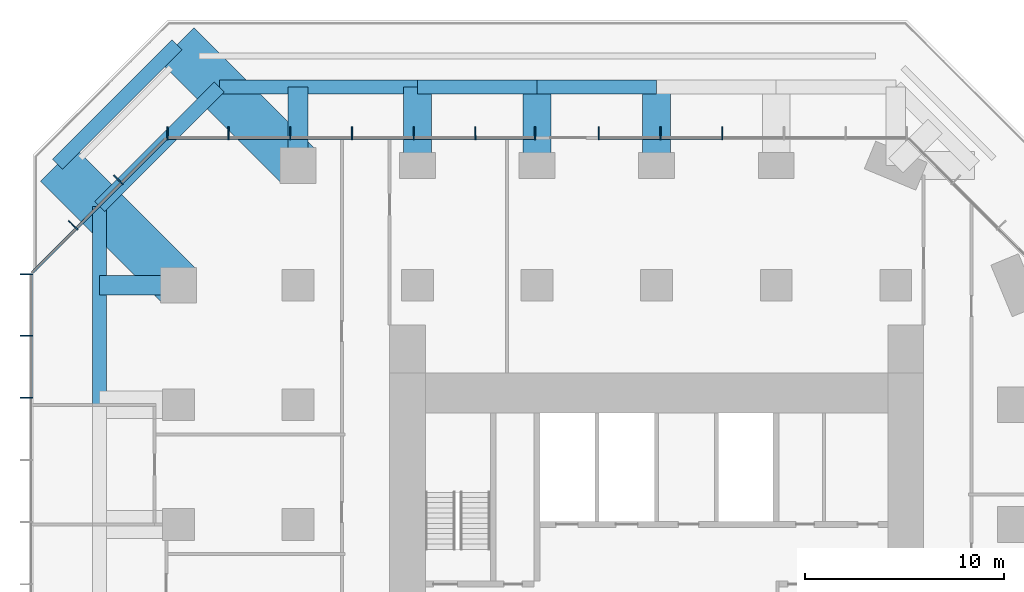
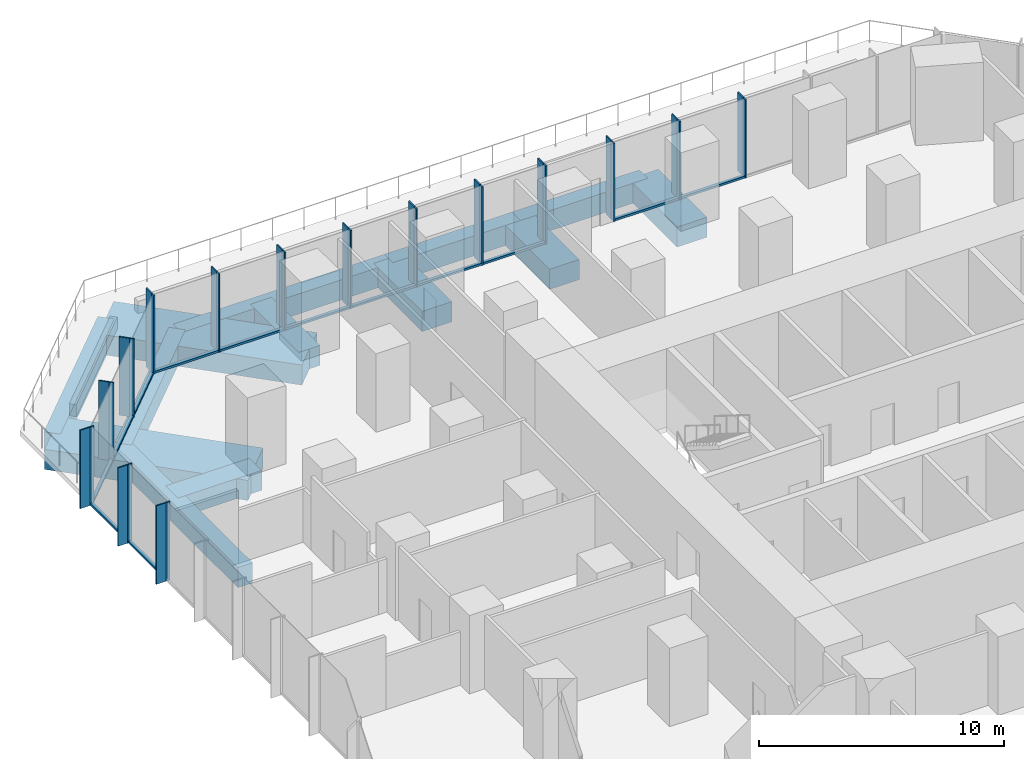
# One storey, part 5 of 11: 43 members, 13 beams, 4 elements without a shape of their own.
"""IFC4 building model written with IfcOpenShell, lengths in metres."""

from ifc_helpers import new_model, si_unit, direction, frame, origin, origin_2d, place, context, subcontext, project, spatial, rectangle, extrude, material, layer, layer_set, material_profile, profile_set, type_object, element, aggregate, save


model = new_model("IFC4")

# Units and contexts
model_context = context("Model", 3, precision=1e-05, world=origin(), true_north=direction((0.0, 1.0)))
body_context = subcontext(model_context, "Body", "Model", "MODEL_VIEW")
ifc_project = project(units=[si_unit("LENGTHUNIT", "METRE"), si_unit("AREAUNIT", "SQUARE_METRE"), si_unit("VOLUMEUNIT", "CUBIC_METRE"), si_unit("PLANEANGLEUNIT", "RADIAN"), si_unit("MASSUNIT", "GRAM", prefix="KILO")], contexts=[model_context])

# Site, building, storey
site_placement = place(None, origin())
site = spatial("IfcSite", under=ifc_project, at=site_placement, CompositionType="ELEMENT")
building_placement = place(site_placement, origin())
building = spatial("IfcBuilding", under=site, at=building_placement, Name="Highveld Stack Headquarters", CompositionType="ELEMENT")
storey_placement = place(building_placement, frame((0.0, 0.0, 117.199951171875)))
storey = spatial("IfcBuildingStorey", under=building, at=storey_placement, Name="L28", CompositionType="ELEMENT", Elevation=117.199951171875)

# Beams
ifc_material_1 = material(Name="Concrete C60/75", Category="concrete")
ifc_material_profile_1 = material_profile(ifc_material_1, rectangle(XDim=1.0, YDim=1.0, at=origin_2d()), Name="RC 1000x1000")
ifc_profile_set_1 = profile_set([ifc_material_profile_1], Name="Concrete C60/75")
beam_type_1 = type_object("IfcBeamType", Name="CANTILEVER RIB RC 1000x1000", PredefinedType="USERDEFINED", material=ifc_profile_set_1)
for number, where, z_axis, x_axis, name in (
    (1, (-18.0, 18.0, -0.75), (-1.0, 0.0, 0.0), (0.0, -1.0, 0.0), "Cantilever rib 3/H L28"),
    (2, (-12.0, 24.0, -0.75), (0.0, 1.0, 0.0), (-1.0, 0.0, 0.0), "Cantilever rib 4/J L28"),
):
    element("IfcBeam", number, at=place(storey_placement, frame(where, z_axis=z_axis, x_axis=x_axis)), inside=storey, type_object=beam_type_1, Name=name, ObjectType="CANTILEVER RIB", PredefinedType="USERDEFINED", context=body_context, shape_type="SweptSolid", body=[
        extrude(rectangle(XDim=1.0, YDim=1.0, at=origin_2d()), origin(), (0.0, 0.0, 1.0), 3.949951171875),
    ])
ifc_material_2 = material(Name="Concrete C60/75", Category="concrete")
ifc_material_profile_2 = material_profile(ifc_material_2, rectangle(XDim=1.39990234375, YDim=1.0, at=origin_2d()), Name="RC 1400x1000")
ifc_profile_set_2 = profile_set([ifc_material_profile_2], Name="Concrete C60/75")
beam_type_2 = type_object("IfcBeamType", Name="CANTILEVER RIB RC 1400x1000", PredefinedType="USERDEFINED", material=ifc_profile_set_2)
for number, where, z_axis, x_axis, name in (
    (3, (-6.0, 24.0, -0.75), (0.0, 1.0, 0.0), (-1.0, 0.0, 0.0), "Cantilever rib 5/J L28"),
    (4, (0.0, 24.0, -0.75), (0.0, 1.0, 0.0), (-1.0, 0.0, 0.0), "Cantilever rib 6/J L28"),
    (5, (6.0, 24.0, -0.75), (0.0, 1.0, 0.0), (-1.0, 0.0, 0.0), "Cantilever rib 7/J L28"),
):
    element("IfcBeam", number, at=place(storey_placement, frame(where, z_axis=z_axis, x_axis=x_axis)), inside=storey, type_object=beam_type_2, Name=name, ObjectType="CANTILEVER RIB", PredefinedType="USERDEFINED", context=body_context, shape_type="SweptSolid", body=[
        extrude(rectangle(XDim=1.39990234375, YDim=1.0, at=origin_2d()), origin(), (0.0, 0.0, 1.0), 3.949951171875),
    ])
ifc_material_3 = material(Name="Concrete C60/75", Category="concrete")
ifc_material_profile_3 = material_profile(ifc_material_3, rectangle(XDim=2.39990234375, YDim=1.0, at=origin_2d()), Name="RC 2400x1000")
ifc_profile_set_3 = profile_set([ifc_material_profile_3], Name="Concrete C60/75")
beam_type_3 = type_object("IfcBeamType", Name="CANTILEVER RIB RC 2400x1000", PredefinedType="USERDEFINED", material=ifc_profile_set_3)
for number, where, z_axis, x_axis, name in (
    (6, (-18.0, 18.0, -0.75), (-0.707106781187, 0.707106781187, 0.0), (-0.707106781187, -0.707106781187, 0.0), "Cantilever rib 3/H L28"),
    (7, (-12.0, 24.0, -0.75), (-0.707106781187, 0.707106781187, 0.0), (-0.707106781187, -0.707106781187, 0.0), "Cantilever rib 4/J L28"),
):
    element("IfcBeam", number, at=place(storey_placement, frame(where, z_axis=z_axis, x_axis=x_axis)), inside=storey, type_object=beam_type_3, Name=name, ObjectType="CANTILEVER RIB", PredefinedType="USERDEFINED", context=body_context, shape_type="SweptSolid", body=[
        extrude(rectangle(XDim=2.39990234375, YDim=1.0, at=origin_2d()), origin(), (0.0, 0.0, 1.0), 8.585693359375),
    ])

# Curtain wall, members
ifc_material_4 = material(Name="Aluminium bronze anodised", Category="aluminium")
ifc_layer_1 = layer(ifc_material_4, 0.199951171875)
ifc_layer_set_1 = layer_set([ifc_layer_1], Name="Aluminium bronze anodised")
curtain_wall_type_1 = type_object("IfcCurtainWallType", Name="CW1 TOWER UNITISED CURTAIN WALL", PredefinedType="NOTDEFINED", material=ifc_layer_set_1)
curtain_wall_1_placement = place(storey_placement, origin())
curtain_wall_1 = element("IfcCurtainWall", 8, at=curtain_wall_1_placement, inside=storey, type_object=curtain_wall_type_1, Name="Curtain wall CW1 L28 N-1", PredefinedType="NOTDEFINED")
ifc_material_5 = material(Name="Aluminium bronze anodised", Category="aluminium")
ifc_material_profile_4 = material_profile(ifc_material_5, rectangle(XDim=0.449951171875, YDim=0.06005859375, at=origin_2d()), Name="FIN 450x60")
ifc_profile_set_4 = profile_set([ifc_material_profile_4], Name="Aluminium bronze anodised")
member_type_1 = type_object("IfcMemberType", Name="CW1 BRONZE FIN 450x60", PredefinedType="USERDEFINED", material=ifc_profile_set_4)
member_1_placement = place(storey_placement, frame((9.289794921875, 25.72509765625, 0.0), z_axis=(0.0, 0.0, 1.0), x_axis=(0.0, -1.0, 0.0)))
member_1 = element("IfcMember", 9, at=member_1_placement, type_object=member_type_1, Name="CW1 fin L28 4", ObjectType="FIN", PredefinedType="USERDEFINED", context=body_context, shape_type="SweptSolid", body=[
    extrude(rectangle(XDim=0.449951171875, YDim=0.06005859375, at=origin_2d()), origin(), (0.0, 0.0, 1.0), 3.900146484375),
])
member_2_placement = place(storey_placement, frame((6.193359375, 25.72509765625, 0.0), z_axis=(0.0, 0.0, 1.0), x_axis=(0.0, -1.0, 0.0)))
member_2 = element("IfcMember", 10, at=member_2_placement, type_object=member_type_1, Name="CW1 fin L28 5", ObjectType="FIN", PredefinedType="USERDEFINED", context=body_context, shape_type="SweptSolid", body=[
    extrude(rectangle(XDim=0.449951171875, YDim=0.06005859375, at=origin_2d()), origin(), (0.0, 0.0, 1.0), 3.900146484375),
])
member_3_placement = place(storey_placement, frame((3.0966796875, 25.72509765625, 0.0), z_axis=(0.0, 0.0, 1.0), x_axis=(0.0, -1.0, 0.0)))
member_3 = element("IfcMember", 11, at=member_3_placement, type_object=member_type_1, Name="CW1 fin L28 6", ObjectType="FIN", PredefinedType="USERDEFINED", context=body_context, shape_type="SweptSolid", body=[
    extrude(rectangle(XDim=0.449951171875, YDim=0.06005859375, at=origin_2d()), origin(), (0.0, 0.0, 1.0), 3.900146484375),
])

curtain_wall_2_placement = place(storey_placement, origin())
curtain_wall_2 = element("IfcCurtainWall", 12, at=curtain_wall_2_placement, inside=storey, type_object=curtain_wall_type_1, Name="Curtain wall CW1 L28 N-2", PredefinedType="NOTDEFINED")
member_4_placement = place(storey_placement, frame((-0.107421875, 25.72509765625, 0.0), z_axis=(0.0, 0.0, 1.0), x_axis=(0.0, -1.0, 0.0)))
member_4 = element("IfcMember", 13, at=member_4_placement, type_object=member_type_1, Name="CW1 fin L28 1", ObjectType="FIN", PredefinedType="USERDEFINED", context=body_context, shape_type="SweptSolid", body=[
    extrude(rectangle(XDim=0.449951171875, YDim=0.06005859375, at=origin_2d()), origin(), (0.0, 0.0, 1.0), 3.900146484375),
])
member_5_placement = place(storey_placement, frame((-3.0966796875, 25.72509765625, 0.0), z_axis=(0.0, 0.0, 1.0), x_axis=(0.0, -1.0, 0.0)))
member_5 = element("IfcMember", 14, at=member_5_placement, type_object=member_type_1, Name="CW1 fin L28 2", ObjectType="FIN", PredefinedType="USERDEFINED", context=body_context, shape_type="SweptSolid", body=[
    extrude(rectangle(XDim=0.449951171875, YDim=0.06005859375, at=origin_2d()), origin(), (0.0, 0.0, 1.0), 3.900146484375),
])
member_6_placement = place(storey_placement, frame((-6.193359375, 25.72509765625, 0.0), z_axis=(0.0, 0.0, 1.0), x_axis=(0.0, -1.0, 0.0)))
member_6 = element("IfcMember", 15, at=member_6_placement, type_object=member_type_1, Name="CW1 fin L28 3", ObjectType="FIN", PredefinedType="USERDEFINED", context=body_context, shape_type="SweptSolid", body=[
    extrude(rectangle(XDim=0.449951171875, YDim=0.06005859375, at=origin_2d()), origin(), (0.0, 0.0, 1.0), 3.900146484375),
])
member_7_placement = place(storey_placement, frame((-9.2900390625, 25.72509765625, 0.0), z_axis=(0.0, 0.0, 1.0), x_axis=(0.0, -1.0, 0.0)))
member_7 = element("IfcMember", 16, at=member_7_placement, type_object=member_type_1, Name="CW1 fin L28 4", ObjectType="FIN", PredefinedType="USERDEFINED", context=body_context, shape_type="SweptSolid", body=[
    extrude(rectangle(XDim=0.449951171875, YDim=0.06005859375, at=origin_2d()), origin(), (0.0, 0.0, 1.0), 3.900146484375),
])
member_8_placement = place(storey_placement, frame((-12.38671875, 25.72509765625, 0.0), z_axis=(0.0, 0.0, 1.0), x_axis=(0.0, -1.0, 0.0)))
member_8 = element("IfcMember", 17, at=member_8_placement, type_object=member_type_1, Name="CW1 fin L28 5", ObjectType="FIN", PredefinedType="USERDEFINED", context=body_context, shape_type="SweptSolid", body=[
    extrude(rectangle(XDim=0.449951171875, YDim=0.06005859375, at=origin_2d()), origin(), (0.0, 0.0, 1.0), 3.900146484375),
])
member_9_placement = place(storey_placement, frame((-15.4833984375, 25.72509765625, 0.0), z_axis=(0.0, 0.0, 1.0), x_axis=(0.0, -1.0, 0.0)))
member_9 = element("IfcMember", 18, at=member_9_placement, type_object=member_type_1, Name="CW1 fin L28 6", ObjectType="FIN", PredefinedType="USERDEFINED", context=body_context, shape_type="SweptSolid", body=[
    extrude(rectangle(XDim=0.449951171875, YDim=0.06005859375, at=origin_2d()), origin(), (0.0, 0.0, 1.0), 3.900146484375),
])
member_10_placement = place(storey_placement, frame((-18.54736328125, 25.72509765625, 0.0), z_axis=(0.0, 0.0, 1.0), x_axis=(0.0, -1.0, 0.0)))
member_10 = element("IfcMember", 19, at=member_10_placement, type_object=member_type_1, Name="CW1 fin L28 7", ObjectType="FIN", PredefinedType="USERDEFINED", context=body_context, shape_type="SweptSolid", body=[
    extrude(rectangle(XDim=0.449951171875, YDim=0.06005859375, at=origin_2d()), origin(), (0.0, 0.0, 1.0), 3.900146484375),
])

curtain_wall_3_placement = place(storey_placement, origin())
curtain_wall_3 = element("IfcCurtainWall", 20, at=curtain_wall_3_placement, inside=storey, type_object=curtain_wall_type_1, Name="Curtain wall CW1 L28 W", PredefinedType="NOTDEFINED")
member_11_placement = place(storey_placement, frame((-25.72509765625, 18.54736328125, 0.0), z_axis=(0.0, 0.0, 1.0), x_axis=(1.0, 0.0, 0.0)))
member_11 = element("IfcMember", 21, at=member_11_placement, type_object=member_type_1, Name="CW1 fin L28 1", ObjectType="FIN", PredefinedType="USERDEFINED", context=body_context, shape_type="SweptSolid", body=[
    extrude(rectangle(XDim=0.449951171875, YDim=0.06005859375, at=origin_2d()), origin(), (0.0, 0.0, 1.0), 3.900146484375),
])
member_12_placement = place(storey_placement, frame((-25.72509765625, 15.4638671875, 0.0), z_axis=(0.0, 0.0, 1.0), x_axis=(1.0, 0.0, 0.0)))
member_12 = element("IfcMember", 22, at=member_12_placement, type_object=member_type_1, Name="CW1 fin L28 2", ObjectType="FIN", PredefinedType="USERDEFINED", context=body_context, shape_type="SweptSolid", body=[
    extrude(rectangle(XDim=0.449951171875, YDim=0.06005859375, at=origin_2d()), origin(), (0.0, 0.0, 1.0), 3.900146484375),
])
member_13_placement = place(storey_placement, frame((-25.72509765625, 12.347900390625, 0.0), z_axis=(0.0, 0.0, 1.0), x_axis=(1.0, 0.0, 0.0)))
member_13 = element("IfcMember", 23, at=member_13_placement, type_object=member_type_1, Name="CW1 fin L28 3", ObjectType="FIN", PredefinedType="USERDEFINED", context=body_context, shape_type="SweptSolid", body=[
    extrude(rectangle(XDim=0.449951171875, YDim=0.06005859375, at=origin_2d()), origin(), (0.0, 0.0, 1.0), 3.900146484375),
])

# Member
ifc_material_6 = material(Name="Aluminium bronze anodised", Category="aluminium")
ifc_material_profile_5 = material_profile(ifc_material_6, rectangle(XDim=0.199951171875, YDim=0.06494140625, at=origin_2d()), Name="CW1 MULLION 65x200")
ifc_profile_set_5 = profile_set([ifc_material_profile_5], Name="Aluminium bronze anodised")
member_type_2 = type_object("IfcMemberType", Name="CW1 MULLION 65x200", PredefinedType="MULLION", material=ifc_profile_set_5)
member_14_placement = place(storey_placement, frame((9.289794921875, 25.39990234375, 0.0), z_axis=(0.0, 0.0, 1.0), x_axis=(0.0, -1.0, 0.0)))
member_14 = element("IfcMember", 24, at=member_14_placement, type_object=member_type_2, Name="CW1 mullion L28 4", PredefinedType="MULLION", context=body_context, shape_type="SweptSolid", body=[
    extrude(rectangle(XDim=0.199951171875, YDim=0.06494140625, at=origin_2d()), origin(), (0.0, 0.0, 1.0), 3.900146484375),
])

member_15_placement = place(storey_placement, frame((6.193359375, 25.39990234375, 0.0), z_axis=(0.0, 0.0, 1.0), x_axis=(0.0, -1.0, 0.0)))
member_15 = element("IfcMember", 25, at=member_15_placement, type_object=member_type_2, Name="CW1 mullion L28 5", PredefinedType="MULLION", context=body_context, shape_type="SweptSolid", body=[
    extrude(rectangle(XDim=0.199951171875, YDim=0.06494140625, at=origin_2d()), origin(), (0.0, 0.0, 1.0), 3.900146484375),
])

member_16_placement = place(storey_placement, frame((3.0966796875, 25.39990234375, 0.0), z_axis=(0.0, 0.0, 1.0), x_axis=(0.0, -1.0, 0.0)))
member_16 = element("IfcMember", 26, at=member_16_placement, type_object=member_type_2, Name="CW1 mullion L28 6", PredefinedType="MULLION", context=body_context, shape_type="SweptSolid", body=[
    extrude(rectangle(XDim=0.199951171875, YDim=0.06494140625, at=origin_2d()), origin(), (0.0, 0.0, 1.0), 3.900146484375),
])

member_17_placement = place(storey_placement, frame((-0.107421875, 25.39990234375, 0.0), z_axis=(0.0, 0.0, 1.0), x_axis=(0.0, -1.0, 0.0)))
member_17 = element("IfcMember", 27, at=member_17_placement, type_object=member_type_2, Name="CW1 mullion L28 1", PredefinedType="MULLION", context=body_context, shape_type="SweptSolid", body=[
    extrude(rectangle(XDim=0.199951171875, YDim=0.06494140625, at=origin_2d()), origin(), (0.0, 0.0, 1.0), 3.900146484375),
])

member_18_placement = place(storey_placement, frame((-3.0966796875, 25.39990234375, 0.0), z_axis=(0.0, 0.0, 1.0), x_axis=(0.0, -1.0, 0.0)))
member_18 = element("IfcMember", 28, at=member_18_placement, type_object=member_type_2, Name="CW1 mullion L28 2", PredefinedType="MULLION", context=body_context, shape_type="SweptSolid", body=[
    extrude(rectangle(XDim=0.199951171875, YDim=0.06494140625, at=origin_2d()), origin(), (0.0, 0.0, 1.0), 3.900146484375),
])

member_19_placement = place(storey_placement, frame((-6.193359375, 25.39990234375, 0.0), z_axis=(0.0, 0.0, 1.0), x_axis=(0.0, -1.0, 0.0)))
member_19 = element("IfcMember", 29, at=member_19_placement, type_object=member_type_2, Name="CW1 mullion L28 3", PredefinedType="MULLION", context=body_context, shape_type="SweptSolid", body=[
    extrude(rectangle(XDim=0.199951171875, YDim=0.06494140625, at=origin_2d()), origin(), (0.0, 0.0, 1.0), 3.900146484375),
])

member_20_placement = place(storey_placement, frame((-9.2900390625, 25.39990234375, 0.0), z_axis=(0.0, 0.0, 1.0), x_axis=(0.0, -1.0, 0.0)))
member_20 = element("IfcMember", 30, at=member_20_placement, type_object=member_type_2, Name="CW1 mullion L28 4", PredefinedType="MULLION", context=body_context, shape_type="SweptSolid", body=[
    extrude(rectangle(XDim=0.199951171875, YDim=0.06494140625, at=origin_2d()), origin(), (0.0, 0.0, 1.0), 3.900146484375),
])

member_21_placement = place(storey_placement, frame((-12.38671875, 25.39990234375, 0.0), z_axis=(0.0, 0.0, 1.0), x_axis=(0.0, -1.0, 0.0)))
member_21 = element("IfcMember", 31, at=member_21_placement, type_object=member_type_2, Name="CW1 mullion L28 5", PredefinedType="MULLION", context=body_context, shape_type="SweptSolid", body=[
    extrude(rectangle(XDim=0.199951171875, YDim=0.06494140625, at=origin_2d()), origin(), (0.0, 0.0, 1.0), 3.900146484375),
])

member_22_placement = place(storey_placement, frame((-15.4833984375, 25.39990234375, 0.0), z_axis=(0.0, 0.0, 1.0), x_axis=(0.0, -1.0, 0.0)))
member_22 = element("IfcMember", 32, at=member_22_placement, type_object=member_type_2, Name="CW1 mullion L28 6", PredefinedType="MULLION", context=body_context, shape_type="SweptSolid", body=[
    extrude(rectangle(XDim=0.199951171875, YDim=0.06494140625, at=origin_2d()), origin(), (0.0, 0.0, 1.0), 3.900146484375),
])

member_23_placement = place(storey_placement, frame((-18.54736328125, 25.39990234375, 0.0), z_axis=(0.0, 0.0, 1.0), x_axis=(0.0, -1.0, 0.0)))
member_23 = element("IfcMember", 33, at=member_23_placement, type_object=member_type_2, Name="CW1 mullion L28 7", PredefinedType="MULLION", context=body_context, shape_type="SweptSolid", body=[
    extrude(rectangle(XDim=0.199951171875, YDim=0.06494140625, at=origin_2d()), origin(), (0.0, 0.0, 1.0), 3.900146484375),
])

member_24_placement = place(storey_placement, frame((-25.39990234375, 18.54736328125, 0.0), z_axis=(0.0, 0.0, 1.0), x_axis=(1.0, 0.0, 0.0)))
member_24 = element("IfcMember", 34, at=member_24_placement, type_object=member_type_2, Name="CW1 mullion L28 1", PredefinedType="MULLION", context=body_context, shape_type="SweptSolid", body=[
    extrude(rectangle(XDim=0.199951171875, YDim=0.06494140625, at=origin_2d()), origin(), (0.0, 0.0, 1.0), 3.900146484375),
])

member_25_placement = place(storey_placement, frame((-25.39990234375, 15.4638671875, 0.0), z_axis=(0.0, 0.0, 1.0), x_axis=(1.0, 0.0, 0.0)))
member_25 = element("IfcMember", 35, at=member_25_placement, type_object=member_type_2, Name="CW1 mullion L28 2", PredefinedType="MULLION", context=body_context, shape_type="SweptSolid", body=[
    extrude(rectangle(XDim=0.199951171875, YDim=0.06494140625, at=origin_2d()), origin(), (0.0, 0.0, 1.0), 3.900146484375),
])

member_26_placement = place(storey_placement, frame((-25.39990234375, 12.347900390625, 0.0), z_axis=(0.0, 0.0, 1.0), x_axis=(1.0, 0.0, 0.0)))
member_26 = element("IfcMember", 36, at=member_26_placement, type_object=member_type_2, Name="CW1 mullion L28 3", PredefinedType="MULLION", context=body_context, shape_type="SweptSolid", body=[
    extrude(rectangle(XDim=0.199951171875, YDim=0.06494140625, at=origin_2d()), origin(), (0.0, 0.0, 1.0), 3.900146484375),
])

ifc_material_7 = material(Name="Aluminium bronze anodised", Category="aluminium")
ifc_material_profile_6 = material_profile(ifc_material_7, rectangle(XDim=0.14990234375, YDim=0.10009765625, at=origin_2d()), Name="CW1 TRANSOM 150x100")
ifc_profile_set_6 = profile_set([ifc_material_profile_6], Name="Aluminium bronze anodised")
member_type_3 = type_object("IfcMemberType", Name="CW1 STACK TRANSOM 150x100", PredefinedType="USERDEFINED", material=ifc_profile_set_6)
member_27_placement = place(storey_placement, frame((9.25732421875, 25.39990234375, 0.050048828125), z_axis=(-1.0, 0.0, 0.0), x_axis=(0.0, -1.0, 0.0)))
member_27 = element("IfcMember", 37, at=member_27_placement, type_object=member_type_3, Name="CW1 transom L28 4.1", ObjectType="TRANSOM", PredefinedType="USERDEFINED", context=body_context, shape_type="SweptSolid", body=[
    extrude(rectangle(XDim=0.14990234375, YDim=0.10009765625, at=origin_2d()), origin(), (0.0, 0.0, 1.0), 3.031494140625),
])

member_28_placement = place(storey_placement, frame((6.160888671875, 25.39990234375, 0.050048828125), z_axis=(-1.0, 0.0, 0.0), x_axis=(0.0, -1.0, 0.0)))
member_28 = element("IfcMember", 38, at=member_28_placement, type_object=member_type_3, Name="CW1 transom L28 5.1", ObjectType="TRANSOM", PredefinedType="USERDEFINED", context=body_context, shape_type="SweptSolid", body=[
    extrude(rectangle(XDim=0.14990234375, YDim=0.10009765625, at=origin_2d()), origin(), (0.0, 0.0, 1.0), 3.03173828125),
])

aggregate(curtain_wall_1, [member_14, member_1, member_15, member_2, member_16, member_3, member_27, member_28])

member_29_placement = place(storey_placement, frame((-0.139892578125, 25.39990234375, 0.050048828125), z_axis=(-1.0, 0.0, 0.0), x_axis=(0.0, -1.0, 0.0)))
member_29 = element("IfcMember", 39, at=member_29_placement, type_object=member_type_3, Name="CW1 transom L28 7.1", ObjectType="TRANSOM", PredefinedType="USERDEFINED", context=body_context, shape_type="SweptSolid", body=[
    extrude(rectangle(XDim=0.14990234375, YDim=0.10009765625, at=origin_2d()), origin(), (0.0, 0.0, 1.0), 2.92431640625),
])

member_30_placement = place(storey_placement, frame((-3.129150390625, 25.39990234375, 0.050048828125), z_axis=(-1.0, 0.0, 0.0), x_axis=(0.0, -1.0, 0.0)))
member_30 = element("IfcMember", 40, at=member_30_placement, type_object=member_type_3, Name="CW1 transom L28 8.1", ObjectType="TRANSOM", PredefinedType="USERDEFINED", context=body_context, shape_type="SweptSolid", body=[
    extrude(rectangle(XDim=0.14990234375, YDim=0.10009765625, at=origin_2d()), origin(), (0.0, 0.0, 1.0), 3.03173828125),
])

member_31_placement = place(storey_placement, frame((-6.225830078125, 25.39990234375, 0.050048828125), z_axis=(-1.0, 0.0, 0.0), x_axis=(0.0, -1.0, 0.0)))
member_31 = element("IfcMember", 41, at=member_31_placement, type_object=member_type_3, Name="CW1 transom L28 9.1", ObjectType="TRANSOM", PredefinedType="USERDEFINED", context=body_context, shape_type="SweptSolid", body=[
    extrude(rectangle(XDim=0.14990234375, YDim=0.10009765625, at=origin_2d()), origin(), (0.0, 0.0, 1.0), 3.03173828125),
])

member_32_placement = place(storey_placement, frame((-9.322509765625, 25.39990234375, 0.050048828125), z_axis=(-1.0, 0.0, 0.0), x_axis=(0.0, -1.0, 0.0)))
member_32 = element("IfcMember", 42, at=member_32_placement, type_object=member_type_3, Name="CW1 transom L28 10.1", ObjectType="TRANSOM", PredefinedType="USERDEFINED", context=body_context, shape_type="SweptSolid", body=[
    extrude(rectangle(XDim=0.14990234375, YDim=0.10009765625, at=origin_2d()), origin(), (0.0, 0.0, 1.0), 3.031494140625),
])

member_33_placement = place(storey_placement, frame((-12.419189453125, 25.39990234375, 0.050048828125), z_axis=(-1.0, 0.0, 0.0), x_axis=(0.0, -1.0, 0.0)))
member_33 = element("IfcMember", 43, at=member_33_placement, type_object=member_type_3, Name="CW1 transom L28 11.1", ObjectType="TRANSOM", PredefinedType="USERDEFINED", context=body_context, shape_type="SweptSolid", body=[
    extrude(rectangle(XDim=0.14990234375, YDim=0.10009765625, at=origin_2d()), origin(), (0.0, 0.0, 1.0), 3.031494140625),
])

member_34_placement = place(storey_placement, frame((-15.515869140625, 25.39990234375, 0.050048828125), z_axis=(-1.0, 0.0, 0.0), x_axis=(0.0, -1.0, 0.0)))
member_34 = element("IfcMember", 44, at=member_34_placement, type_object=member_type_3, Name="CW1 transom L28 12.1", ObjectType="TRANSOM", PredefinedType="USERDEFINED", context=body_context, shape_type="SweptSolid", body=[
    extrude(rectangle(XDim=0.14990234375, YDim=0.10009765625, at=origin_2d()), origin(), (0.0, 0.0, 1.0), 2.9990234375),
])

aggregate(curtain_wall_2, [member_17, member_4, member_18, member_5, member_19, member_6, member_20, member_7, member_21, member_8, member_22, member_9, member_23, member_10, member_29, member_30, member_31, member_32, member_33, member_34])

member_35_placement = place(storey_placement, frame((-25.39990234375, 18.514892578125, 0.050048828125), z_axis=(0.0, -1.0, 0.0), x_axis=(1.0, 0.0, 0.0)))
member_35 = element("IfcMember", 45, at=member_35_placement, type_object=member_type_3, Name="CW1 transom L28 1.1", ObjectType="TRANSOM", PredefinedType="USERDEFINED", context=body_context, shape_type="SweptSolid", body=[
    extrude(rectangle(XDim=0.14990234375, YDim=0.10009765625, at=origin_2d()), origin(), (0.0, 0.0, 1.0), 3.0185546875),
])

member_36_placement = place(storey_placement, frame((-25.39990234375, 15.431396484375, 0.050048828125), z_axis=(0.0, -1.0, 0.0), x_axis=(1.0, 0.0, 0.0)))
member_36 = element("IfcMember", 46, at=member_36_placement, type_object=member_type_3, Name="CW1 transom L28 2.1", ObjectType="TRANSOM", PredefinedType="USERDEFINED", context=body_context, shape_type="SweptSolid", body=[
    extrude(rectangle(XDim=0.14990234375, YDim=0.10009765625, at=origin_2d()), origin(), (0.0, 0.0, 1.0), 3.051025390625),
])

aggregate(curtain_wall_3, [member_24, member_11, member_25, member_12, member_26, member_13, member_35, member_36])

# Curtain wall, members
ifc_material_8 = material(Name="Aluminium bronze anodised", Category="aluminium")
ifc_layer_2 = layer(ifc_material_8, 0.199951171875)
ifc_layer_set_2 = layer_set([ifc_layer_2], Name="Aluminium bronze anodised")
curtain_wall_type_2 = type_object("IfcCurtainWallType", Name="CW2 TOWER CHAMFER UNITISED CURTAIN WALL", PredefinedType="NOTDEFINED", material=ifc_layer_set_2)
curtain_wall_4_placement = place(storey_placement, origin())
curtain_wall_4 = element("IfcCurtainWall", 47, at=curtain_wall_4_placement, inside=storey, type_object=curtain_wall_type_2, Name="Curtain wall CW2 L28 NW", PredefinedType="NOTDEFINED")
ifc_material_9 = material(Name="Aluminium bronze anodised", Category="aluminium")
ifc_material_profile_7 = material_profile(ifc_material_9, rectangle(XDim=0.449951171875, YDim=0.06005859375, at=origin_2d()), Name="FIN 450x60")
ifc_profile_set_7 = profile_set([ifc_material_profile_7], Name="Aluminium bronze anodised")
member_type_4 = type_object("IfcMemberType", Name="CW2 BRONZE FIN 450x60", PredefinedType="USERDEFINED", material=ifc_profile_set_7)
member_37_placement = place(storey_placement, frame((-21.0830078125, 23.3564453125, 0.0), z_axis=(0.0, 0.0, 1.0), x_axis=(0.707106781187, -0.707106781187, 0.0)))
member_37 = element("IfcMember", 48, at=member_37_placement, type_object=member_type_4, Name="CW2 fin L28 1", ObjectType="FIN", PredefinedType="USERDEFINED", context=body_context, shape_type="SweptSolid", body=[
    extrude(rectangle(XDim=0.449951171875, YDim=0.06005859375, at=origin_2d()), origin(), (0.0, 0.0, 1.0), 3.900146484375),
])
member_38_placement = place(storey_placement, frame((-23.3564453125, 21.0830078125, 0.0), z_axis=(0.0, 0.0, 1.0), x_axis=(0.707106781187, -0.707106781187, 0.0)))
member_38 = element("IfcMember", 49, at=member_38_placement, type_object=member_type_4, Name="CW2 fin L28 2", ObjectType="FIN", PredefinedType="USERDEFINED", context=body_context, shape_type="SweptSolid", body=[
    extrude(rectangle(XDim=0.449951171875, YDim=0.06005859375, at=origin_2d()), origin(), (0.0, 0.0, 1.0), 3.900146484375),
])
ifc_material_10 = material(Name="Aluminium bronze anodised", Category="aluminium")
ifc_material_profile_8 = material_profile(ifc_material_10, rectangle(XDim=0.199951171875, YDim=0.06494140625, at=origin_2d()), Name="CW2 MULLION 65x200")
ifc_profile_set_8 = profile_set([ifc_material_profile_8], Name="Aluminium bronze anodised")
member_type_5 = type_object("IfcMemberType", Name="CW2 MULLION 65x200", PredefinedType="MULLION", material=ifc_profile_set_8)
member_39_placement = place(storey_placement, frame((-20.853271484375, 23.126708984375, 0.0), z_axis=(0.0, 0.0, 1.0), x_axis=(0.707106781187, -0.707106781187, 0.0)))
member_39 = element("IfcMember", 50, at=member_39_placement, type_object=member_type_5, Name="CW2 mullion L28 1", PredefinedType="MULLION", context=body_context, shape_type="SweptSolid", body=[
    extrude(rectangle(XDim=0.199951171875, YDim=0.06494140625, at=origin_2d()), origin(), (0.0, 0.0, 1.0), 3.900146484375),
])
member_40_placement = place(storey_placement, frame((-23.126708984375, 20.853271484375, 0.0), z_axis=(0.0, 0.0, 1.0), x_axis=(0.707106781187, -0.707106781187, 0.0)))
member_40 = element("IfcMember", 51, at=member_40_placement, type_object=member_type_5, Name="CW2 mullion L28 2", PredefinedType="MULLION", context=body_context, shape_type="SweptSolid", body=[
    extrude(rectangle(XDim=0.199951171875, YDim=0.06494140625, at=origin_2d()), origin(), (0.0, 0.0, 1.0), 3.900146484375),
])
ifc_material_11 = material(Name="Aluminium bronze anodised", Category="aluminium")
ifc_material_profile_9 = material_profile(ifc_material_11, rectangle(XDim=0.14990234375, YDim=0.10009765625, at=origin_2d()), Name="CW2 TRANSOM 150x100")
ifc_profile_set_9 = profile_set([ifc_material_profile_9], Name="Aluminium bronze anodised")
member_type_6 = type_object("IfcMemberType", Name="CW2 STACK TRANSOM 150x100", PredefinedType="USERDEFINED", material=ifc_profile_set_9)
member_41_placement = place(storey_placement, frame((-18.650634765625, 25.329345703125, 0.050048828125), z_axis=(-0.707106781187, -0.707106781187, 0.0), x_axis=(0.707106781187, -0.707106781187, 0.0)))
member_41 = element("IfcMember", 52, at=member_41_placement, type_object=member_type_6, Name="CW2 transom L28 1.1", ObjectType="TRANSOM", PredefinedType="USERDEFINED", context=body_context, shape_type="SweptSolid", body=[
    extrude(rectangle(XDim=0.14990234375, YDim=0.10009765625, at=origin_2d()), origin(), (0.0, 0.0, 1.0), 3.08251953125),
])
member_42_placement = place(storey_placement, frame((-20.876220703125, 23.103759765625, 0.050048828125), z_axis=(-0.707106781187, -0.707106781187, 0.0), x_axis=(0.707106781187, -0.707106781187, 0.0)))
member_42 = element("IfcMember", 53, at=member_42_placement, type_object=member_type_6, Name="CW2 transom L28 2.1", ObjectType="TRANSOM", PredefinedType="USERDEFINED", context=body_context, shape_type="SweptSolid", body=[
    extrude(rectangle(XDim=0.14990234375, YDim=0.10009765625, at=origin_2d()), origin(), (0.0, 0.0, 1.0), 3.150146484375),
])
member_43_placement = place(storey_placement, frame((-23.149658203125, 20.830322265625, 0.050048828125), z_axis=(-0.707106781187, -0.707106781187, 0.0), x_axis=(0.707106781187, -0.707106781187, 0.0)))
member_43 = element("IfcMember", 54, at=member_43_placement, type_object=member_type_6, Name="CW2 transom L28 3.1", ObjectType="TRANSOM", PredefinedType="USERDEFINED", context=body_context, shape_type="SweptSolid", body=[
    extrude(rectangle(XDim=0.14990234375, YDim=0.10009765625, at=origin_2d()), origin(), (0.0, 0.0, 1.0), 3.08251953125),
])
aggregate(curtain_wall_4, [member_39, member_37, member_40, member_38, member_41, member_42, member_43])

# Beams
ifc_material_12 = material(Name="Concrete C60/75", Category="concrete")
ifc_material_profile_10 = material_profile(ifc_material_12, rectangle(XDim=0.699951171875, YDim=1.0, at=origin_2d()), Name="RC 700x1000")
ifc_profile_set_10 = profile_set([ifc_material_profile_10], Name="Concrete C60/75")
beam_type_4 = type_object("IfcBeamType", Name="RIB TIP BEAM RC 700x1000", PredefinedType="SPANDREL", material=ifc_profile_set_10)
for number, where, z_axis, x_axis, name in (
    (55, (-21.949951171875, 12.0, -0.75), (0.0, 1.0, 0.0), (-1.0, 0.0, 0.0), "Rib tip beam 3/G to 3/H L28"),
    (56, (-15.949951171875, 27.949951171875, -0.75), (1.0, 0.0, 0.0), (0.0, 1.0, 0.0), "Rib tip beam 4/J to 5/J L28"),
):
    element("IfcBeam", number, at=place(storey_placement, frame(where, z_axis=z_axis, x_axis=x_axis)), inside=storey, type_object=beam_type_4, Name=name, PredefinedType="SPANDREL", context=body_context, shape_type="SweptSolid", body=[
        extrude(rectangle(XDim=0.699951171875, YDim=1.0, at=origin_2d()), origin(), (0.0, 0.0, 1.0), 9.949951171875),
    ])
for number, where, z_axis, x_axis, name in (
    (57, (-6.0, 27.949951171875, -0.75), (1.0, 0.0, 0.0), (0.0, 1.0, 0.0), "Rib tip beam 5/J to 6/J L28"),
    (58, (0.0, 27.949951171875, -0.75), (1.0, 0.0, 0.0), (0.0, 1.0, 0.0), "Rib tip beam 6/J to 7/J L28"),
):
    element("IfcBeam", number, at=place(storey_placement, frame(where, z_axis=z_axis, x_axis=x_axis)), inside=storey, type_object=beam_type_4, Name=name, PredefinedType="SPANDREL", context=body_context, shape_type="SweptSolid", body=[
        extrude(rectangle(XDim=0.699951171875, YDim=1.0, at=origin_2d()), origin(), (0.0, 0.0, 1.0), 6.0),
    ])
for number, where, z_axis, x_axis, name in (
    (59, (-21.949951171875, 21.949951171875, -0.75), (0.707106781187, 0.707106781187, 0.0), (-0.707106781187, 0.707106781187, 0.0), "Rib tip beam 3/H to 4/J chamfer L28"),
    (60, (-24.071044921875, 24.071044921875, -0.75), (0.707106781187, 0.707106781187, 0.0), (-0.707106781187, 0.707106781187, 0.0), "Rib tip beam 3/H to 4/J chamfer edge L28"),
):
    element("IfcBeam", number, at=place(storey_placement, frame(where, z_axis=z_axis, x_axis=x_axis)), inside=storey, type_object=beam_type_4, Name=name, PredefinedType="SPANDREL", context=body_context, shape_type="SweptSolid", body=[
        extrude(rectangle(XDim=0.699951171875, YDim=1.0, at=origin_2d()), origin(), (0.0, 0.0, 1.0), 8.4853515625),
    ])

save(model, "model.ifc")
